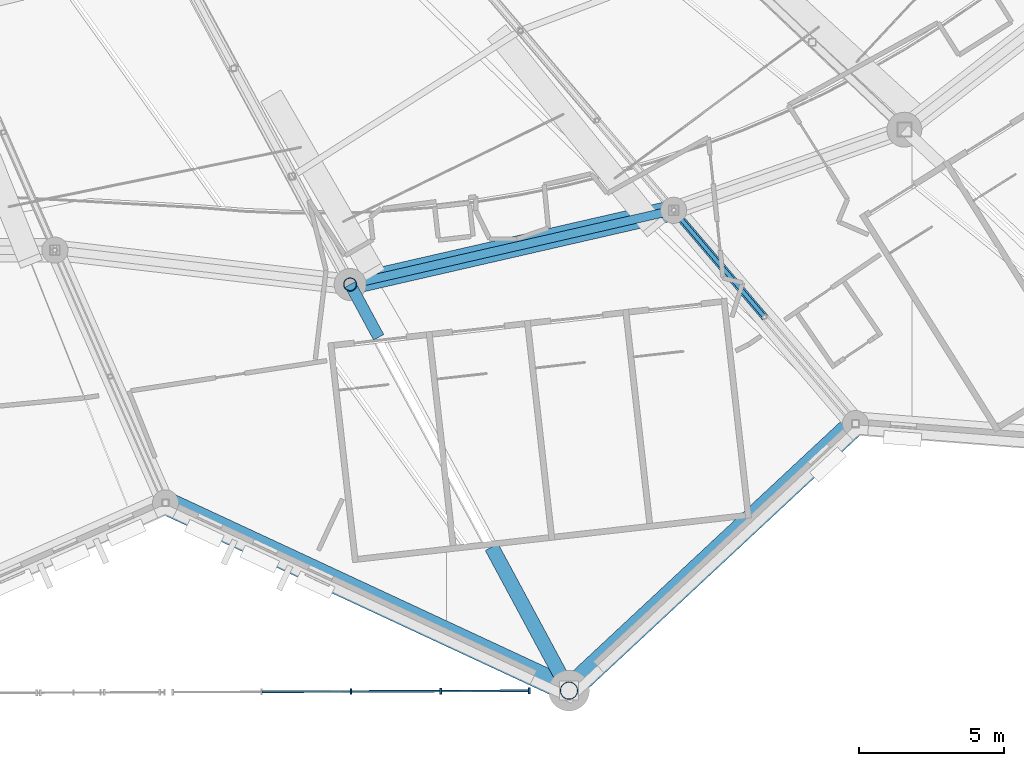
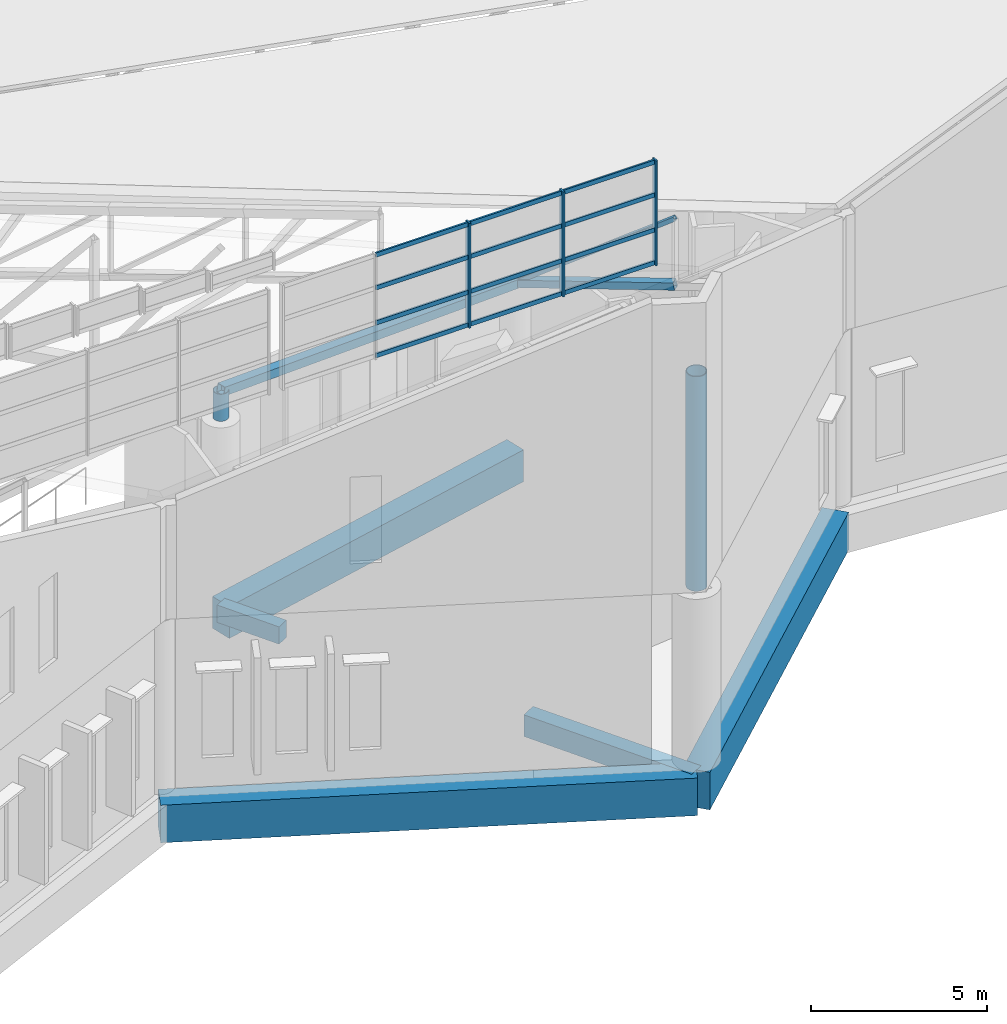
# One storey, part 70 of 344: 20 members, 5 beams, 1 element without a shape of its own.
"""IFC4 building model written with IfcOpenShell, lengths in metres."""

from ifc_helpers import new_model, si_unit, direction, frame, origin, origin_2d, place, context, subcontext, project, spatial, rectangle, hollow_rectangle, hollow_circle, extrude, material, layer, layer_set, material_profile, profile_set, type_object, element, aggregate, save


model = new_model("IFC4")

# Units and contexts
model_context = context("Model", 3, precision=1e-05, world=origin(), true_north=direction((0.0, 1.0)))
body_context = subcontext(model_context, "Body", "Model", "MODEL_VIEW")
ifc_project = project(units=[si_unit("LENGTHUNIT", "METRE"), si_unit("AREAUNIT", "SQUARE_METRE"), si_unit("VOLUMEUNIT", "CUBIC_METRE"), si_unit("PLANEANGLEUNIT", "RADIAN"), si_unit("MASSUNIT", "GRAM", prefix="KILO")], contexts=[model_context])

# Site, building, storey
site_placement = place(None, origin())
site = spatial("IfcSite", under=ifc_project, at=site_placement, CompositionType="ELEMENT")
building_placement = place(site_placement, origin())
building = spatial("IfcBuilding", under=site, at=building_placement, Name="Meseta Stadium", CompositionType="ELEMENT")
storey_placement = place(building_placement, frame((0.0, 0.0, 24.0)))
storey = spatial("IfcBuildingStorey", under=building, at=storey_placement, Name="L04", CompositionType="ELEMENT", Elevation=24.0)

# Members
ifc_material_1 = material(Name="Steel S355", Category="steel")
ifc_material_profile_1 = material_profile(ifc_material_1, hollow_circle(Radius=0.228515625, WallThickness=0.01611328125, at=origin_2d()), Name="CHS 457x16")
ifc_profile_set_1 = profile_set([ifc_material_profile_1], Name="Steel S355")
member_type_1 = type_object("IfcMemberType", Name="CHS 457x16 pedestal", PredefinedType="POST", material=ifc_profile_set_1)
member_1_placement = place(storey_placement, frame((44.6826171875, -91.0908203125, 6.0), z_axis=(0.0, 0.0, 1.0), x_axis=(1.0, 0.0, 0.0)))
element("IfcMember", 1, at=member_1_placement, inside=storey, type_object=member_type_1, Name="ROOF TRUSS RT-50 pedestal", PredefinedType="POST", context=body_context, shape_type="SweptSolid", body=[
    extrude(hollow_circle(Radius=0.228515625, WallThickness=0.01611328125, at=origin_2d()), origin(), (0.0, 0.0, 1.0), 0.939453125),
])
ifc_material_2 = material(Name="Steel S355", Category="steel")
ifc_material_profile_2 = material_profile(ifc_material_2, hollow_circle(Radius=0.304931640625, WallThickness=0.02490234375, at=origin_2d()), Name="CHS 610x25")
ifc_profile_set_2 = profile_set([ifc_material_profile_2], Name="Steel S355")
member_type_2 = type_object("IfcMemberType", Name="CHS 610x25 pylon post", PredefinedType="POST", material=ifc_profile_set_2)
member_2_placement = place(storey_placement, frame((52.202880859375, -105.0517578125, 6.0), z_axis=(0.0, 0.0, 1.0), x_axis=(1.0, 0.0, 0.0)))
element("IfcMember", 2, at=member_2_placement, inside=storey, type_object=member_type_2, Name="GABLE ARCH GA-S pylon post", PredefinedType="POST", context=body_context, shape_type="SweptSolid", body=[
    extrude(hollow_circle(Radius=0.304931640625, WallThickness=0.02490234375, at=origin_2d()), origin(), (0.0, 0.0, 1.0), 7.433837890625),
])

# Curtain wall, members
ifc_material_3 = material(Name="Aluminium", Category="aluminium")
ifc_layer = layer(ifc_material_3, 0.199951171875)
ifc_layer_set = layer_set([ifc_layer], Name="Gable glazing curtain wall")
curtain_wall_type = type_object("IfcCurtainWallType", Name="Gable glazing curtain wall", PredefinedType="NOTDEFINED", material=ifc_layer_set)
curtain_wall_placement = place(storey_placement, origin())
curtain_wall = element("IfcCurtainWall", 3, at=curtain_wall_placement, inside=storey, type_object=curtain_wall_type, Name="Gable glazing south lower bay 06", PredefinedType="NOTDEFINED")
ifc_material_4 = material(Name="Aluminium", Category="aluminium")
ifc_material_profile_3 = material_profile(ifc_material_4, rectangle(XDim=0.199951171875, YDim=0.06005859375, at=origin_2d()), Name="CW 200x60")
ifc_profile_set_3 = profile_set([ifc_material_profile_3], Name="Aluminium")
member_type_3 = type_object("IfcMemberType", Name="CW mullion 60x200", PredefinedType="MULLION", material=ifc_profile_set_3)
member_3_placement = place(storey_placement, frame((44.71240234375, -105.08056640625, 17.60009765625), z_axis=(0.0, 0.0, 1.0), x_axis=(-0.003847534233, 0.999992598213, 0.0)))
member_3 = element("IfcMember", 4, at=member_3_placement, type_object=member_type_3, Name="CWG mullion 3", PredefinedType="MULLION", context=body_context, shape_type="SweptSolid", body=[
    extrude(rectangle(XDim=0.199951171875, YDim=0.06005859375, at=origin_2d()), origin(), (0.0, 0.0, 1.0), 3.635009765625),
])
member_4_placement = place(storey_placement, frame((47.79150390625, -105.068603515625, 17.60009765625), z_axis=(0.0, 0.0, 1.0), x_axis=(-0.003847534233, 0.999992598213, 0.0)))
member_4 = element("IfcMember", 5, at=member_4_placement, type_object=member_type_3, Name="CWG mullion 4", PredefinedType="MULLION", context=body_context, shape_type="SweptSolid", body=[
    extrude(rectangle(XDim=0.199951171875, YDim=0.06005859375, at=origin_2d()), origin(), (0.0, 0.0, 1.0), 3.635009765625),
])
member_5_placement = place(storey_placement, frame((50.8408203125, -105.056884765625, 17.60009765625), z_axis=(0.0, 0.0, 1.0), x_axis=(-0.003847534233, 0.999992598213, 0.0)))
member_5 = element("IfcMember", 6, at=member_5_placement, type_object=member_type_3, Name="CWG mullion 5", PredefinedType="MULLION", context=body_context, shape_type="SweptSolid", body=[
    extrude(rectangle(XDim=0.199951171875, YDim=0.06005859375, at=origin_2d()), origin(), (0.0, 0.0, 1.0), 3.635009765625),
])
ifc_material_5 = material(Name="Aluminium", Category="aluminium")
ifc_material_profile_4 = material_profile(ifc_material_5, rectangle(XDim=0.06005859375, YDim=0.14990234375, at=origin_2d()), Name="CW 60x150")
ifc_profile_set_4 = profile_set([ifc_material_profile_4], Name="Aluminium")
member_type_4 = type_object("IfcMemberType", Name="CW transom 60x150", PredefinedType="USERDEFINED", material=ifc_profile_set_4)
member_6_placement = place(storey_placement, frame((41.6630859375, -105.09228515625, 17.675048828125), z_axis=(0.999992467852, 0.003881267766, 0.0), x_axis=(-0.003881267766, 0.999992467852, 0.0)))
member_6 = element("IfcMember", 7, at=member_6_placement, type_object=member_type_4, Name="CWG transom 2.1", ObjectType="TRANSOM", PredefinedType="USERDEFINED", context=body_context, shape_type="SweptSolid", body=[
    extrude(rectangle(XDim=0.06005859375, YDim=0.14990234375, at=origin_2d()), origin(), (0.0, 0.0, 1.0), 3.019287109375),
])
member_7_placement = place(storey_placement, frame((41.6630859375, -105.09228515625, 18.811767578125), z_axis=(0.999992467852, 0.003881267766, 0.0), x_axis=(-0.003881267766, 0.999992467852, 0.0)))
member_7 = element("IfcMember", 8, at=member_7_placement, type_object=member_type_4, Name="CWG transom 2.2", ObjectType="TRANSOM", PredefinedType="USERDEFINED", context=body_context, shape_type="SweptSolid", body=[
    extrude(rectangle(XDim=0.06005859375, YDim=0.14990234375, at=origin_2d()), origin(), (0.0, 0.0, 1.0), 3.019287109375),
])
member_8_placement = place(storey_placement, frame((41.6630859375, -105.09228515625, 20.0234375), z_axis=(0.999992467852, 0.003881267766, 0.0), x_axis=(-0.003881267766, 0.999992467852, 0.0)))
member_8 = element("IfcMember", 9, at=member_8_placement, type_object=member_type_4, Name="CWG transom 2.3", ObjectType="TRANSOM", PredefinedType="USERDEFINED", context=body_context, shape_type="SweptSolid", body=[
    extrude(rectangle(XDim=0.06005859375, YDim=0.14990234375, at=origin_2d()), origin(), (0.0, 0.0, 1.0), 3.019287109375),
])
member_9_placement = place(storey_placement, frame((41.6630859375, -105.09228515625, 21.159912109375), z_axis=(0.999992467852, 0.003881267766, 0.0), x_axis=(-0.003881267766, 0.999992467852, 0.0)))
member_9 = element("IfcMember", 10, at=member_9_placement, type_object=member_type_4, Name="CWG transom 2.4", ObjectType="TRANSOM", PredefinedType="USERDEFINED", context=body_context, shape_type="SweptSolid", body=[
    extrude(rectangle(XDim=0.06005859375, YDim=0.14990234375, at=origin_2d()), origin(), (0.0, 0.0, 1.0), 3.019287109375),
])
member_10_placement = place(storey_placement, frame((44.742431640625, -105.080322265625, 17.675048828125), z_axis=(0.999992777251, 0.003800716524, 0.0), x_axis=(-0.003800716524, 0.999992777251, 0.0)))
member_10 = element("IfcMember", 11, at=member_10_placement, type_object=member_type_4, Name="CWG transom 3.1", ObjectType="TRANSOM", PredefinedType="USERDEFINED", context=body_context, shape_type="SweptSolid", body=[
    extrude(rectangle(XDim=0.06005859375, YDim=0.14990234375, at=origin_2d()), origin(), (0.0, 0.0, 1.0), 3.01904296875),
])
member_11_placement = place(storey_placement, frame((44.742431640625, -105.080322265625, 18.811767578125), z_axis=(0.999992777251, 0.003800716524, 0.0), x_axis=(-0.003800716524, 0.999992777251, 0.0)))
member_11 = element("IfcMember", 12, at=member_11_placement, type_object=member_type_4, Name="CWG transom 3.2", ObjectType="TRANSOM", PredefinedType="USERDEFINED", context=body_context, shape_type="SweptSolid", body=[
    extrude(rectangle(XDim=0.06005859375, YDim=0.14990234375, at=origin_2d()), origin(), (0.0, 0.0, 1.0), 3.01904296875),
])
member_12_placement = place(storey_placement, frame((44.742431640625, -105.080322265625, 20.0234375), z_axis=(0.999992777251, 0.003800716524, 0.0), x_axis=(-0.003800716524, 0.999992777251, 0.0)))
member_12 = element("IfcMember", 13, at=member_12_placement, type_object=member_type_4, Name="CWG transom 3.3", ObjectType="TRANSOM", PredefinedType="USERDEFINED", context=body_context, shape_type="SweptSolid", body=[
    extrude(rectangle(XDim=0.06005859375, YDim=0.14990234375, at=origin_2d()), origin(), (0.0, 0.0, 1.0), 3.01904296875),
])
member_13_placement = place(storey_placement, frame((44.742431640625, -105.080322265625, 21.159912109375), z_axis=(0.999992777251, 0.003800716524, 0.0), x_axis=(-0.003800716524, 0.999992777251, 0.0)))
member_13 = element("IfcMember", 14, at=member_13_placement, type_object=member_type_4, Name="CWG transom 3.4", ObjectType="TRANSOM", PredefinedType="USERDEFINED", context=body_context, shape_type="SweptSolid", body=[
    extrude(rectangle(XDim=0.06005859375, YDim=0.14990234375, at=origin_2d()), origin(), (0.0, 0.0, 1.0), 3.01904296875),
])
member_14_placement = place(storey_placement, frame((47.821533203125, -105.068603515625, 17.675048828125), z_axis=(0.9999926326, 0.003838586551, 0.0), x_axis=(-0.003838586551, 0.9999926326, 0.0)))
member_14 = element("IfcMember", 15, at=member_14_placement, type_object=member_type_4, Name="CWG transom 4.1", ObjectType="TRANSOM", PredefinedType="USERDEFINED", context=body_context, shape_type="SweptSolid", body=[
    extrude(rectangle(XDim=0.06005859375, YDim=0.14990234375, at=origin_2d()), origin(), (0.0, 0.0, 1.0), 2.9892578125),
])
member_15_placement = place(storey_placement, frame((47.821533203125, -105.068603515625, 18.811767578125), z_axis=(0.9999926326, 0.003838586551, 0.0), x_axis=(-0.003838586551, 0.9999926326, 0.0)))
member_15 = element("IfcMember", 16, at=member_15_placement, type_object=member_type_4, Name="CWG transom 4.2", ObjectType="TRANSOM", PredefinedType="USERDEFINED", context=body_context, shape_type="SweptSolid", body=[
    extrude(rectangle(XDim=0.06005859375, YDim=0.14990234375, at=origin_2d()), origin(), (0.0, 0.0, 1.0), 2.9892578125),
])
member_16_placement = place(storey_placement, frame((47.821533203125, -105.068603515625, 20.0234375), z_axis=(0.9999926326, 0.003838586551, 0.0), x_axis=(-0.003838586551, 0.9999926326, 0.0)))
member_16 = element("IfcMember", 17, at=member_16_placement, type_object=member_type_4, Name="CWG transom 4.3", ObjectType="TRANSOM", PredefinedType="USERDEFINED", context=body_context, shape_type="SweptSolid", body=[
    extrude(rectangle(XDim=0.06005859375, YDim=0.14990234375, at=origin_2d()), origin(), (0.0, 0.0, 1.0), 2.9892578125),
])
member_17_placement = place(storey_placement, frame((47.821533203125, -105.068603515625, 21.159912109375), z_axis=(0.9999926326, 0.003838586551, 0.0), x_axis=(-0.003838586551, 0.9999926326, 0.0)))
member_17 = element("IfcMember", 18, at=member_17_placement, type_object=member_type_4, Name="CWG transom 4.4", ObjectType="TRANSOM", PredefinedType="USERDEFINED", context=body_context, shape_type="SweptSolid", body=[
    extrude(rectangle(XDim=0.06005859375, YDim=0.14990234375, at=origin_2d()), origin(), (0.0, 0.0, 1.0), 2.9892578125),
])
aggregate(curtain_wall, [member_3, member_4, member_5, member_6, member_7, member_8, member_9, member_10, member_11, member_12, member_13, member_14, member_15, member_16, member_17])

# Beams
ifc_material_6 = material(Name="Concrete C40/50", Category="concrete")
ifc_material_profile_5 = material_profile(ifc_material_6, rectangle(XDim=0.39990234375, YDim=0.60009765625, at=origin_2d()), Name="RC 400x600")
ifc_profile_set_5 = profile_set([ifc_material_profile_5], Name="Concrete C40/50")
beam_type_1 = type_object("IfcBeamType", Name="RC beam 400x600", PredefinedType="BEAM", material=ifc_profile_set_5)
beam_1_placement = place(storey_placement, frame((44.6826171875, -91.0908203125, -0.699951171875), z_axis=(0.474170370951, -0.880433108937, 0.0), x_axis=(0.880433108937, 0.474170370951, 0.0)))
element("IfcBeam", 19, at=beam_1_placement, inside=storey, type_object=beam_type_1, Name="L04 radial beam frame 50 line P to R", PredefinedType="BEAM", context=body_context, shape_type="SweptSolid", body=[
    extrude(rectangle(XDim=0.39990234375, YDim=0.60009765625, at=origin_2d()), origin(), (0.0, 0.0, 1.0), 2.063720703125),
])
ifc_material_7 = material(Name="Concrete C40/50", Category="concrete")
ifc_material_profile_6 = material_profile(ifc_material_7, rectangle(XDim=0.5, YDim=0.75, at=origin_2d()), Name="RC 500x750")
ifc_profile_set_6 = profile_set([ifc_material_profile_6], Name="Concrete C40/50")
beam_type_2 = type_object("IfcBeamType", Name="RC beam 500x750", PredefinedType="BEAM", material=ifc_profile_set_6)
beam_2_placement = place(storey_placement, frame((49.54541015625, -100.1181640625, -0.77490234375), z_axis=(0.474227121741, -0.880402542594, 0.0), x_axis=(0.880402542594, 0.474227121741, 0.0)))
element("IfcBeam", 20, at=beam_2_placement, inside=storey, type_object=beam_type_2, Name="L04 radial beam frame 50 line P to R", PredefinedType="BEAM", context=body_context, shape_type="SweptSolid", body=[
    extrude(rectangle(XDim=0.5, YDim=0.75, at=origin_2d()), origin(), (0.0, 0.0, 1.0), 5.603759765625),
])
ifc_material_8 = material(Name="Concrete C40/50", Category="concrete")
ifc_material_profile_7 = material_profile(ifc_material_8, rectangle(XDim=0.699951171875, YDim=1.10009765625, at=origin_2d()), Name="RC 700x1100")
ifc_profile_set_7 = profile_set([ifc_material_profile_7], Name="Concrete C40/50")
beam_type_3 = type_object("IfcBeamType", Name="RC beam 700x1100", PredefinedType="BEAM", material=ifc_profile_set_7)
beam_3_placement = place(storey_placement, frame((44.6826171875, -91.0908203125, -0.949951171875), z_axis=(0.974704832518, 0.22349606141, 0.0), x_axis=(-0.22349606141, 0.974704832518, 0.0)))
element("IfcBeam", 21, at=beam_3_placement, inside=storey, type_object=beam_type_3, Name="L04 ring beam frame 50 line P", PredefinedType="BEAM", context=body_context, shape_type="SweptSolid", body=[
    extrude(rectangle(XDim=0.699951171875, YDim=1.10009765625, at=origin_2d()), origin(), (0.0, 0.0, 1.0), 11.405517578125),
])
ifc_material_9 = material(Name="Concrete C40/50", Category="concrete")
ifc_material_profile_8 = material_profile(ifc_material_9, rectangle(XDim=0.800048828125, YDim=1.300048828125, at=origin_2d()), Name="RC 800x1300")
ifc_profile_set_8 = profile_set([ifc_material_profile_8], Name="Concrete C40/50")
beam_type_4 = type_object("IfcBeamType", Name="RC beam 800x1300", PredefinedType="BEAM", material=ifc_profile_set_8)
beam_4_placement = place(storey_placement, frame((38.333251953125, -98.60009765625, -1.050048828125), z_axis=(0.906704363154, -0.421766757625, 0.0), x_axis=(0.421766757625, 0.906704363154, 0.0)))
element("IfcBeam", 22, at=beam_4_placement, inside=storey, type_object=beam_type_4, Name="L04 ring beam frame 49 line R", PredefinedType="BEAM", context=body_context, shape_type="SweptSolid", body=[
    extrude(rectangle(XDim=0.800048828125, YDim=1.300048828125, at=origin_2d()), origin(), (0.0, 0.0, 1.0), 15.296630859375),
])
beam_5_placement = place(storey_placement, frame((52.202880859375, -105.0517578125, -1.050048828125), z_axis=(0.73154053301, 0.681797952889, 0.0), x_axis=(-0.681797952889, 0.73154053301, 0.0)))
element("IfcBeam", 23, at=beam_5_placement, inside=storey, type_object=beam_type_4, Name="L04 ring beam frame 50 line R", PredefinedType="BEAM", context=body_context, shape_type="SweptSolid", body=[
    extrude(rectangle(XDim=0.800048828125, YDim=1.300048828125, at=origin_2d()), origin(), (0.0, 0.0, 1.0), 13.462890625),
])

# Members
ifc_material_10 = material(Name="Steel S355", Category="steel")
ifc_material_profile_9 = material_profile(ifc_material_10, hollow_rectangle(XDim=0.139892578125, YDim=0.139892578125, WallThickness=0.0048828125, at=origin_2d()), Name="SHS 140x140x5")
ifc_profile_set_9 = profile_set([ifc_material_profile_9], Name="Steel S355")
member_type_5 = type_object("IfcMemberType", Name="SHS 140x140x5 diagonal", PredefinedType="BRACE", material=ifc_profile_set_9)
member_18_placement = place(storey_placement, frame((55.799560546875, -88.541748046875, 5.24560546875), z_axis=(0.533506699904, -0.625591189657, 0.569215481677), x_axis=(0.760885465409, 0.648886206148, 0.0)))
element("IfcMember", 24, at=member_18_placement, inside=storey, type_object=member_type_5, Name="ROOF TRUSS RT-51 diagonal", PredefinedType="BRACE", context=body_context, shape_type="SweptSolid", body=[
    extrude(hollow_rectangle(XDim=0.139892578125, YDim=0.139892578125, WallThickness=0.0048828125, at=origin_2d()), origin(), (0.0, 0.0, 1.0), 5.859375),
])
ifc_material_11 = material(Name="Steel S355", Category="steel")
ifc_material_profile_10 = material_profile(ifc_material_11, hollow_rectangle(XDim=0.25, YDim=0.25, WallThickness=0.010009765625, at=origin_2d()), Name="SHS 250x250x10")
ifc_profile_set_10 = profile_set([ifc_material_profile_10], Name="Steel S355")
member_type_6 = type_object("IfcMemberType", Name="SHS 250x250x10 bottom chord", PredefinedType="CHORD", material=ifc_profile_set_10)
member_19_placement = place(storey_placement, frame((55.799560546875, -88.541748046875, 5.24560546875), z_axis=(0.634405621934, -0.743905498885, 0.210081211887), x_axis=(0.760885465409, 0.648886206148, 0.0)))
element("IfcMember", 25, at=member_19_placement, inside=storey, type_object=member_type_6, Name="ROOF TRUSS RT-51 bottom chord", PredefinedType="CHORD", context=body_context, shape_type="SweptSolid", body=[
    extrude(hollow_rectangle(XDim=0.25, YDim=0.25, WallThickness=0.010009765625, at=origin_2d()), origin(), (0.0, 0.0, 1.0), 4.927490234375),
])
ifc_material_12 = material(Name="Steel S355", Category="steel")
ifc_material_profile_11 = material_profile(ifc_material_12, hollow_rectangle(XDim=0.300048828125, YDim=0.300048828125, WallThickness=0.010009765625, at=origin_2d()), Name="SHS 300x300x10")
ifc_profile_set_11 = profile_set([ifc_material_profile_11], Name="Steel S355")
member_type_7 = type_object("IfcMemberType", Name="SHS 300x300x10 pivot strut", PredefinedType="STRUT", material=ifc_profile_set_11)
member_20_placement = place(storey_placement, frame((44.6826171875, -91.0908203125, 6.939453125), z_axis=(0.964130454418, 0.221071397268, -0.146901001268), x_axis=(-0.22349606141, 0.974704832518, 0.0)))
element("IfcMember", 26, at=member_20_placement, inside=storey, type_object=member_type_7, Name="ROOF PIVOT STRUT RT-50/51", PredefinedType="STRUT", context=body_context, shape_type="SweptSolid", body=[
    extrude(hollow_rectangle(XDim=0.300048828125, YDim=0.300048828125, WallThickness=0.010009765625, at=origin_2d()), origin(), (0.0, 0.0, 1.0), 11.530517578125),
])

save(model, "model.ifc")
